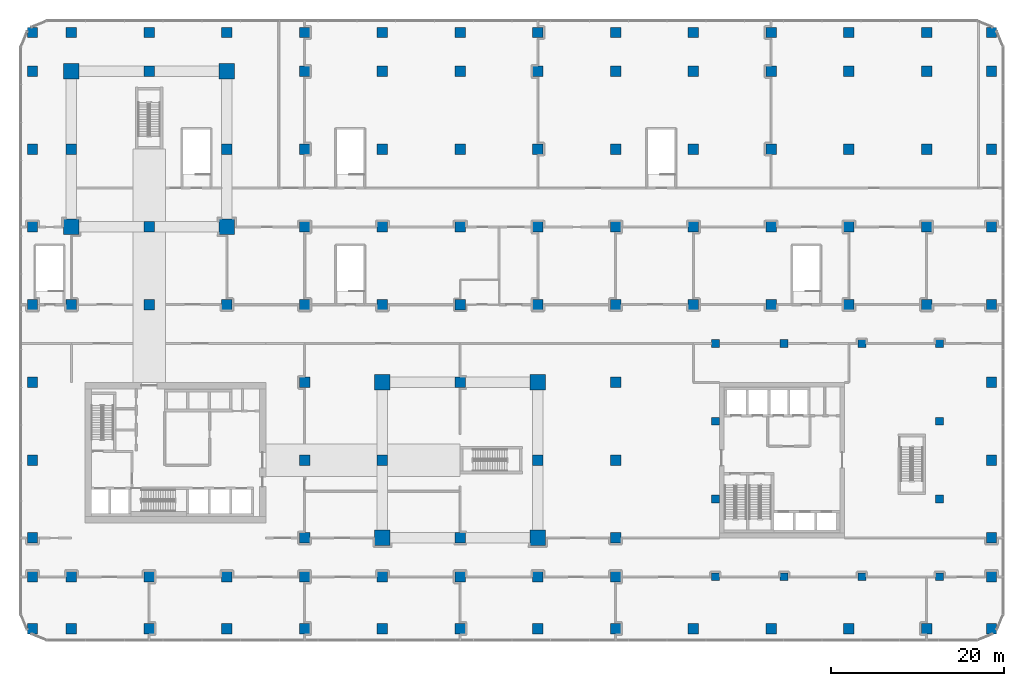
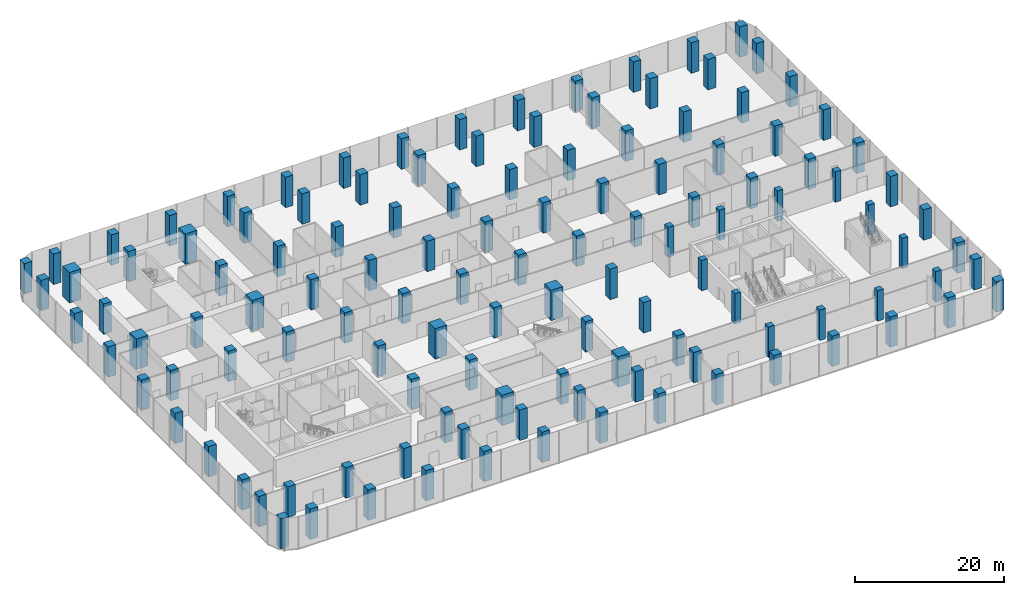
# One storey, part 1 of 36: 125 columns.
"""IFC4 building model written with IfcOpenShell, lengths in metres."""

from ifc_helpers import new_model, si_unit, direction, frame, origin, origin_2d, place, context, subcontext, project, spatial, rectangle, extrude, material, material_profile, profile_set, type_object, element, save


model = new_model("IFC4")

# Units and contexts
model_context = context("Model", 3, precision=1e-05, world=origin(), true_north=direction((0.0, 1.0)))
body_context = subcontext(model_context, "Body", "Model", "MODEL_VIEW")
ifc_project = project(units=[si_unit("LENGTHUNIT", "METRE"), si_unit("AREAUNIT", "SQUARE_METRE"), si_unit("VOLUMEUNIT", "CUBIC_METRE"), si_unit("PLANEANGLEUNIT", "RADIAN"), si_unit("MASSUNIT", "GRAM", prefix="KILO")], contexts=[model_context])

# Site, building, storey
site_placement = place(None, origin())
site = spatial("IfcSite", under=ifc_project, at=site_placement, CompositionType="ELEMENT")
building_placement = place(site_placement, origin())
building = spatial("IfcBuilding", under=site, at=building_placement, Name="Plateau Cross Towers", CompositionType="ELEMENT")
storey_placement = place(building_placement, frame((0.0, 0.0, 21.800048828125)))
storey = spatial("IfcBuildingStorey", under=building, at=storey_placement, Name="L04", CompositionType="ELEMENT", Elevation=21.800048828125)

# Columns
ifc_material = material(Name="Concrete C60/75", Category="concrete")
ifc_material_profile_1 = material_profile(ifc_material, rectangle(XDim=0.89990234375, YDim=0.89990234375, at=origin_2d()), Name="RC 900x900")
ifc_profile_set_1 = profile_set([ifc_material_profile_1], Name="Concrete C60/75")
column_type_1 = type_object("IfcColumnType", Name="Office column RC 900x900", PredefinedType="COLUMN", material=ifc_profile_set_1)
for number, where, z_axis, x_axis, name in (
    (1, (74.550048828125, -4.5, 0.0), (0.0, 0.0, 1.0), (1.0, 0.0, 0.0), "B-C746_-45 L04"),
    (2, (82.5, -4.5, 0.0), (0.0, 0.0, 1.0), (1.0, 0.0, 0.0), "B-C825_-45 L04"),
    (3, (91.5, -4.5, 0.0), (0.0, 0.0, 1.0), (1.0, 0.0, 0.0), "B-C915_-45 L04"),
    (4, (100.5, -4.5, 0.0), (0.0, 0.0, 1.0), (1.0, 0.0, 0.0), "B-C1005_-45 L04"),
    (5, (100.5, 4.5, 0.0), (0.0, 0.0, 1.0), (1.0, 0.0, 0.0), "B-C1005_45 L04"),
    (6, (100.5, 13.5, 0.0), (0.0, 0.0, 1.0), (1.0, 0.0, 0.0), "B-C1005_135 L04"),
    (7, (100.5, 22.5, 0.0), (0.0, 0.0, 1.0), (1.0, 0.0, 0.0), "B-C1005_225 L04"),
    (8, (91.5, 22.5, 0.0), (0.0, 0.0, 1.0), (1.0, 0.0, 0.0), "B-C915_225 L04"),
    (9, (82.5, 22.5, 0.0), (0.0, 0.0, 1.0), (1.0, 0.0, 0.0), "B-C825_225 L04"),
    (10, (74.550048828125, 22.5, 0.0), (0.0, 0.0, 1.0), (1.0, 0.0, 0.0), "B-C746_225 L04"),
    (11, (74.550048828125, 13.5, 0.0), (0.0, 0.0, 1.0), (1.0, 0.0, 0.0), "B-C746_135 L04"),
    (12, (74.550048828125, 4.5, 0.0), (0.0, 0.0, 1.0), (1.0, 0.0, 0.0), "B-C746_45 L04"),
):
    element("IfcColumn", number, at=place(storey_placement, frame(where, z_axis=z_axis, x_axis=x_axis)), inside=storey, type_object=column_type_1, Name=name, PredefinedType="COLUMN", context=body_context, shape_type="SweptSolid", body=[
        extrude(rectangle(XDim=0.89990234375, YDim=0.89990234375, at=origin_2d()), origin(), (0.0, 0.0, 1.0), 5.0),
    ])
ifc_material_profile_2 = material_profile(ifc_material, rectangle(XDim=1.199951171875, YDim=1.199951171875, at=origin_2d()), Name="RC 1200x1200")
ifc_profile_set_2 = profile_set([ifc_material_profile_2], Name="Concrete C60/75")
column_type_2 = type_object("IfcColumnType", Name="Podium column RC 1200x1200", PredefinedType="COLUMN", material=ifc_profile_set_2)
for number, where, z_axis, x_axis, name in (
    (13, (-4.5, -10.5, 0.0), (0.0, 0.0, 1.0), (1.0, 0.0, 0.0), "P-C-45_-105 L04"),
    (14, (-4.5, -4.5, 0.0), (0.0, 0.0, 1.0), (1.0, 0.0, 0.0), "P-C-45_-45 L04"),
    (15, (-4.5, 0.0, 0.0), (0.0, 0.0, 1.0), (1.0, 0.0, 0.0), "P-C-45_0 L04"),
    (16, (-4.5, 9.0, 0.0), (0.0, 0.0, 1.0), (1.0, 0.0, 0.0), "P-C-45_90 L04"),
    (17, (-4.5, 18.0, 0.0), (0.0, 0.0, 1.0), (1.0, 0.0, 0.0), "P-C-45_180 L04"),
    (18, (-4.5, 27.0, 0.0), (0.0, 0.0, 1.0), (1.0, 0.0, 0.0), "P-C-45_270 L04"),
    (19, (-4.5, 36.0, 0.0), (0.0, 0.0, 1.0), (1.0, 0.0, 0.0), "P-C-45_360 L04"),
    (20, (-4.5, 45.0, 0.0), (0.0, 0.0, 1.0), (1.0, 0.0, 0.0), "P-C-45_450 L04"),
    (21, (-4.5, 54.0, 0.0), (0.0, 0.0, 1.0), (1.0, 0.0, 0.0), "P-C-45_540 L04"),
    (22, (-4.5, 58.5, 0.0), (0.0, 0.0, 1.0), (1.0, 0.0, 0.0), "P-C-45_585 L04"),
    (23, (0.0, -10.5, 0.0), (0.0, 0.0, 1.0), (1.0, 0.0, 0.0), "P-C0_-105 L04"),
    (24, (0.0, -4.5, 0.0), (0.0, 0.0, 1.0), (1.0, 0.0, 0.0), "P-C0_-45 L04"),
    (25, (0.0, 27.0, 0.0), (0.0, 0.0, 1.0), (1.0, 0.0, 0.0), "P-C0_270 L04"),
    (26, (0.0, 45.0, 0.0), (0.0, 0.0, 1.0), (1.0, 0.0, 0.0), "P-C0_450 L04"),
    (27, (0.0, 58.5, 0.0), (0.0, 0.0, 1.0), (1.0, 0.0, 0.0), "P-C0_585 L04"),
    (28, (9.0, -10.5, 0.0), (0.0, 0.0, 1.0), (1.0, 0.0, 0.0), "P-C90_-105 L04"),
    (29, (9.0, -4.5, 0.0), (0.0, 0.0, 1.0), (1.0, 0.0, 0.0), "P-C90_-45 L04"),
    (30, (9.0, 27.0, 0.0), (0.0, 0.0, 1.0), (1.0, 0.0, 0.0), "P-C90_270 L04"),
    (31, (9.0, 36.0, 0.0), (0.0, 0.0, 1.0), (1.0, 0.0, 0.0), "P-C90_360 L04"),
    (32, (9.0, 54.0, 0.0), (0.0, 0.0, 1.0), (1.0, 0.0, 0.0), "P-C90_540 L04"),
    (33, (9.0, 58.5, 0.0), (0.0, 0.0, 1.0), (1.0, 0.0, 0.0), "P-C90_585 L04"),
    (34, (18.0, -10.5, 0.0), (0.0, 0.0, 1.0), (1.0, 0.0, 0.0), "P-C180_-105 L04"),
    (35, (18.0, -4.5, 0.0), (0.0, 0.0, 1.0), (1.0, 0.0, 0.0), "P-C180_-45 L04"),
    (36, (18.0, 27.0, 0.0), (0.0, 0.0, 1.0), (1.0, 0.0, 0.0), "P-C180_270 L04"),
    (37, (18.0, 45.0, 0.0), (0.0, 0.0, 1.0), (1.0, 0.0, 0.0), "P-C180_450 L04"),
    (38, (18.0, 58.5, 0.0), (0.0, 0.0, 1.0), (1.0, 0.0, 0.0), "P-C180_585 L04"),
    (39, (27.0, -10.5, 0.0), (0.0, 0.0, 1.0), (1.0, 0.0, 0.0), "P-C270_-105 L04"),
    (40, (27.0, -4.5, 0.0), (0.0, 0.0, 1.0), (1.0, 0.0, 0.0), "P-C270_-45 L04"),
    (41, (27.0, 0.0, 0.0), (0.0, 0.0, 1.0), (1.0, 0.0, 0.0), "P-C270_0 L04"),
    (42, (27.0, 9.0, 0.0), (0.0, 0.0, 1.0), (1.0, 0.0, 0.0), "P-C270_90 L04"),
    (43, (27.0, 18.0, 0.0), (0.0, 0.0, 1.0), (1.0, 0.0, 0.0), "P-C270_180 L04"),
    (44, (27.0, 27.0, 0.0), (0.0, 0.0, 1.0), (1.0, 0.0, 0.0), "P-C270_270 L04"),
    (45, (27.0, 36.0, 0.0), (0.0, 0.0, 1.0), (1.0, 0.0, 0.0), "P-C270_360 L04"),
    (46, (27.0, 45.0, 0.0), (0.0, 0.0, 1.0), (1.0, 0.0, 0.0), "P-C270_450 L04"),
    (47, (27.0, 54.0, 0.0), (0.0, 0.0, 1.0), (1.0, 0.0, 0.0), "P-C270_540 L04"),
    (48, (27.0, 58.5, 0.0), (0.0, 0.0, 1.0), (1.0, 0.0, 0.0), "P-C270_585 L04"),
    (49, (36.0, -10.5, 0.0), (0.0, 0.0, 1.0), (1.0, 0.0, 0.0), "P-C360_-105 L04"),
    (50, (36.0, -4.5, 0.0), (0.0, 0.0, 1.0), (1.0, 0.0, 0.0), "P-C360_-45 L04"),
    (51, (36.0, 9.0, 0.0), (0.0, 0.0, 1.0), (1.0, 0.0, 0.0), "P-C360_90 L04"),
    (52, (36.0, 27.0, 0.0), (0.0, 0.0, 1.0), (1.0, 0.0, 0.0), "P-C360_270 L04"),
    (53, (36.0, 36.0, 0.0), (0.0, 0.0, 1.0), (1.0, 0.0, 0.0), "P-C360_360 L04"),
    (54, (36.0, 45.0, 0.0), (0.0, 0.0, 1.0), (1.0, 0.0, 0.0), "P-C360_450 L04"),
    (55, (36.0, 54.0, 0.0), (0.0, 0.0, 1.0), (1.0, 0.0, 0.0), "P-C360_540 L04"),
    (56, (36.0, 58.5, 0.0), (0.0, 0.0, 1.0), (1.0, 0.0, 0.0), "P-C360_585 L04"),
    (57, (45.0, -10.5, 0.0), (0.0, 0.0, 1.0), (1.0, 0.0, 0.0), "P-C450_-105 L04"),
    (58, (45.0, -4.5, 0.0), (0.0, 0.0, 1.0), (1.0, 0.0, 0.0), "P-C450_-45 L04"),
    (59, (45.0, 0.0, 0.0), (0.0, 0.0, 1.0), (1.0, 0.0, 0.0), "P-C450_0 L04"),
    (60, (45.0, 18.0, 0.0), (0.0, 0.0, 1.0), (1.0, 0.0, 0.0), "P-C450_180 L04"),
    (61, (45.0, 27.0, 0.0), (0.0, 0.0, 1.0), (1.0, 0.0, 0.0), "P-C450_270 L04"),
    (62, (45.0, 36.0, 0.0), (0.0, 0.0, 1.0), (1.0, 0.0, 0.0), "P-C450_360 L04"),
    (63, (45.0, 45.0, 0.0), (0.0, 0.0, 1.0), (1.0, 0.0, 0.0), "P-C450_450 L04"),
    (64, (45.0, 54.0, 0.0), (0.0, 0.0, 1.0), (1.0, 0.0, 0.0), "P-C450_540 L04"),
    (65, (45.0, 58.5, 0.0), (0.0, 0.0, 1.0), (1.0, 0.0, 0.0), "P-C450_585 L04"),
    (66, (54.0, -10.5, 0.0), (0.0, 0.0, 1.0), (1.0, 0.0, 0.0), "P-C540_-105 L04"),
    (67, (54.0, -4.5, 0.0), (0.0, 0.0, 1.0), (1.0, 0.0, 0.0), "P-C540_-45 L04"),
    (68, (54.0, 9.0, 0.0), (0.0, 0.0, 1.0), (1.0, 0.0, 0.0), "P-C540_90 L04"),
    (69, (54.0, 27.0, 0.0), (0.0, 0.0, 1.0), (1.0, 0.0, 0.0), "P-C540_270 L04"),
    (70, (54.0, 36.0, 0.0), (0.0, 0.0, 1.0), (1.0, 0.0, 0.0), "P-C540_360 L04"),
    (71, (54.0, 45.0, 0.0), (0.0, 0.0, 1.0), (1.0, 0.0, 0.0), "P-C540_450 L04"),
    (72, (54.0, 54.0, 0.0), (0.0, 0.0, 1.0), (1.0, 0.0, 0.0), "P-C540_540 L04"),
    (73, (54.0, 58.5, 0.0), (0.0, 0.0, 1.0), (1.0, 0.0, 0.0), "P-C540_585 L04"),
    (74, (63.0, -10.5, 0.0), (0.0, 0.0, 1.0), (1.0, 0.0, 0.0), "P-C630_-105 L04"),
    (75, (63.0, -4.5, 0.0), (0.0, 0.0, 1.0), (1.0, 0.0, 0.0), "P-C630_-45 L04"),
    (76, (63.0, 0.0, 0.0), (0.0, 0.0, 1.0), (1.0, 0.0, 0.0), "P-C630_0 L04"),
    (77, (63.0, 9.0, 0.0), (0.0, 0.0, 1.0), (1.0, 0.0, 0.0), "P-C630_90 L04"),
    (78, (63.0, 18.0, 0.0), (0.0, 0.0, 1.0), (1.0, 0.0, 0.0), "P-C630_180 L04"),
    (79, (63.0, 27.0, 0.0), (0.0, 0.0, 1.0), (1.0, 0.0, 0.0), "P-C630_270 L04"),
    (80, (63.0, 36.0, 0.0), (0.0, 0.0, 1.0), (1.0, 0.0, 0.0), "P-C630_360 L04"),
    (81, (63.0, 45.0, 0.0), (0.0, 0.0, 1.0), (1.0, 0.0, 0.0), "P-C630_450 L04"),
    (82, (63.0, 54.0, 0.0), (0.0, 0.0, 1.0), (1.0, 0.0, 0.0), "P-C630_540 L04"),
    (83, (63.0, 58.5, 0.0), (0.0, 0.0, 1.0), (1.0, 0.0, 0.0), "P-C630_585 L04"),
    (84, (72.0, -10.5, 0.0), (0.0, 0.0, 1.0), (1.0, 0.0, 0.0), "P-C720_-105 L04"),
    (85, (72.0, 27.0, 0.0), (0.0, 0.0, 1.0), (1.0, 0.0, 0.0), "P-C720_270 L04"),
    (86, (72.0, 36.0, 0.0), (0.0, 0.0, 1.0), (1.0, 0.0, 0.0), "P-C720_360 L04"),
    (87, (72.0, 45.0, 0.0), (0.0, 0.0, 1.0), (1.0, 0.0, 0.0), "P-C720_450 L04"),
    (88, (72.0, 54.0, 0.0), (0.0, 0.0, 1.0), (1.0, 0.0, 0.0), "P-C720_540 L04"),
    (89, (72.0, 58.5, 0.0), (0.0, 0.0, 1.0), (1.0, 0.0, 0.0), "P-C720_585 L04"),
    (90, (81.0, -10.5, 0.0), (0.0, 0.0, 1.0), (1.0, 0.0, 0.0), "P-C810_-105 L04"),
    (91, (81.0, 27.0, 0.0), (0.0, 0.0, 1.0), (1.0, 0.0, 0.0), "P-C810_270 L04"),
    (92, (81.0, 36.0, 0.0), (0.0, 0.0, 1.0), (1.0, 0.0, 0.0), "P-C810_360 L04"),
    (93, (81.0, 45.0, 0.0), (0.0, 0.0, 1.0), (1.0, 0.0, 0.0), "P-C810_450 L04"),
    (94, (81.0, 54.0, 0.0), (0.0, 0.0, 1.0), (1.0, 0.0, 0.0), "P-C810_540 L04"),
    (95, (81.0, 58.5, 0.0), (0.0, 0.0, 1.0), (1.0, 0.0, 0.0), "P-C810_585 L04"),
    (96, (90.0, -10.5, 0.0), (0.0, 0.0, 1.0), (1.0, 0.0, 0.0), "P-C900_-105 L04"),
    (97, (90.0, 27.0, 0.0), (0.0, 0.0, 1.0), (1.0, 0.0, 0.0), "P-C900_270 L04"),
    (98, (90.0, 36.0, 0.0), (0.0, 0.0, 1.0), (1.0, 0.0, 0.0), "P-C900_360 L04"),
    (99, (90.0, 45.0, 0.0), (0.0, 0.0, 1.0), (1.0, 0.0, 0.0), "P-C900_450 L04"),
    (100, (90.0, 54.0, 0.0), (0.0, 0.0, 1.0), (1.0, 0.0, 0.0), "P-C900_540 L04"),
    (101, (90.0, 58.5, 0.0), (0.0, 0.0, 1.0), (1.0, 0.0, 0.0), "P-C900_585 L04"),
    (102, (99.0, -10.5, 0.0), (0.0, 0.0, 1.0), (1.0, 0.0, 0.0), "P-C990_-105 L04"),
    (103, (99.0, 27.0, 0.0), (0.0, 0.0, 1.0), (1.0, 0.0, 0.0), "P-C990_270 L04"),
    (104, (99.0, 36.0, 0.0), (0.0, 0.0, 1.0), (1.0, 0.0, 0.0), "P-C990_360 L04"),
    (105, (99.0, 45.0, 0.0), (0.0, 0.0, 1.0), (1.0, 0.0, 0.0), "P-C990_450 L04"),
    (106, (99.0, 54.0, 0.0), (0.0, 0.0, 1.0), (1.0, 0.0, 0.0), "P-C990_540 L04"),
    (107, (99.0, 58.5, 0.0), (0.0, 0.0, 1.0), (1.0, 0.0, 0.0), "P-C990_585 L04"),
    (108, (106.5, -10.5, 0.0), (0.0, 0.0, 1.0), (1.0, 0.0, 0.0), "P-C1065_-105 L04"),
    (109, (106.5, -4.5, 0.0), (0.0, 0.0, 1.0), (1.0, 0.0, 0.0), "P-C1065_-45 L04"),
    (110, (106.5, 0.0, 0.0), (0.0, 0.0, 1.0), (1.0, 0.0, 0.0), "P-C1065_0 L04"),
    (111, (106.5, 9.0, 0.0), (0.0, 0.0, 1.0), (1.0, 0.0, 0.0), "P-C1065_90 L04"),
    (112, (106.5, 18.0, 0.0), (0.0, 0.0, 1.0), (1.0, 0.0, 0.0), "P-C1065_180 L04"),
    (113, (106.5, 27.0, 0.0), (0.0, 0.0, 1.0), (1.0, 0.0, 0.0), "P-C1065_270 L04"),
    (114, (106.5, 36.0, 0.0), (0.0, 0.0, 1.0), (1.0, 0.0, 0.0), "P-C1065_360 L04"),
    (115, (106.5, 45.0, 0.0), (0.0, 0.0, 1.0), (1.0, 0.0, 0.0), "P-C1065_450 L04"),
    (116, (106.5, 54.0, 0.0), (0.0, 0.0, 1.0), (1.0, 0.0, 0.0), "P-C1065_540 L04"),
    (117, (106.5, 58.5, 0.0), (0.0, 0.0, 1.0), (1.0, 0.0, 0.0), "P-C1065_585 L04"),
):
    element("IfcColumn", number, at=place(storey_placement, frame(where, z_axis=z_axis, x_axis=x_axis)), inside=storey, type_object=column_type_2, Name=name, PredefinedType="COLUMN", context=body_context, shape_type="SweptSolid", body=[
        extrude(rectangle(XDim=1.199951171875, YDim=1.199951171875, at=origin_2d()), origin(), (0.0, 0.0, 1.0), 5.0),
    ])
ifc_material_profile_3 = material_profile(ifc_material, rectangle(XDim=1.800048828125, YDim=1.800048828125, at=origin_2d()), Name="RC 1800x1800")
ifc_profile_set_3 = profile_set([ifc_material_profile_3], Name="Concrete C60/75")
column_type_3 = type_object("IfcColumnType", Name="Transfer column RC 1800x1800", PredefinedType="COLUMN", material=ifc_profile_set_3)
for number, where, z_axis, x_axis, name in (
    (118, (0.0, 36.0, 0.0), (0.0, 0.0, 1.0), (1.0, 0.0, 0.0), "P-C0_360 L04"),
    (119, (0.0, 54.0, 0.0), (0.0, 0.0, 1.0), (1.0, 0.0, 0.0), "P-C0_540 L04"),
    (120, (18.0, 36.0, 0.0), (0.0, 0.0, 1.0), (1.0, 0.0, 0.0), "P-C180_360 L04"),
    (121, (18.0, 54.0, 0.0), (0.0, 0.0, 1.0), (1.0, 0.0, 0.0), "P-C180_540 L04"),
    (122, (36.0, 0.0, 0.0), (0.0, 0.0, 1.0), (1.0, 0.0, 0.0), "P-C360_0 L04"),
    (123, (36.0, 18.0, 0.0), (0.0, 0.0, 1.0), (1.0, 0.0, 0.0), "P-C360_180 L04"),
    (124, (54.0, 0.0, 0.0), (0.0, 0.0, 1.0), (1.0, 0.0, 0.0), "P-C540_0 L04"),
    (125, (54.0, 18.0, 0.0), (0.0, 0.0, 1.0), (1.0, 0.0, 0.0), "P-C540_180 L04"),
):
    element("IfcColumn", number, at=place(storey_placement, frame(where, z_axis=z_axis, x_axis=x_axis)), inside=storey, type_object=column_type_3, Name=name, PredefinedType="COLUMN", context=body_context, shape_type="SweptSolid", body=[
        extrude(rectangle(XDim=1.800048828125, YDim=1.800048828125, at=origin_2d()), origin(), (0.0, 0.0, 1.0), 5.0),
    ])

save(model, "model.ifc")
